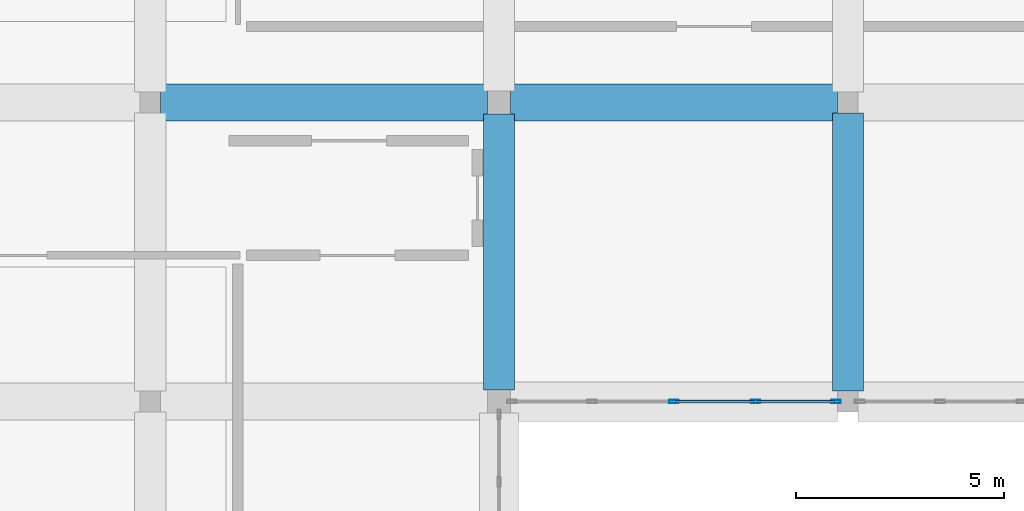
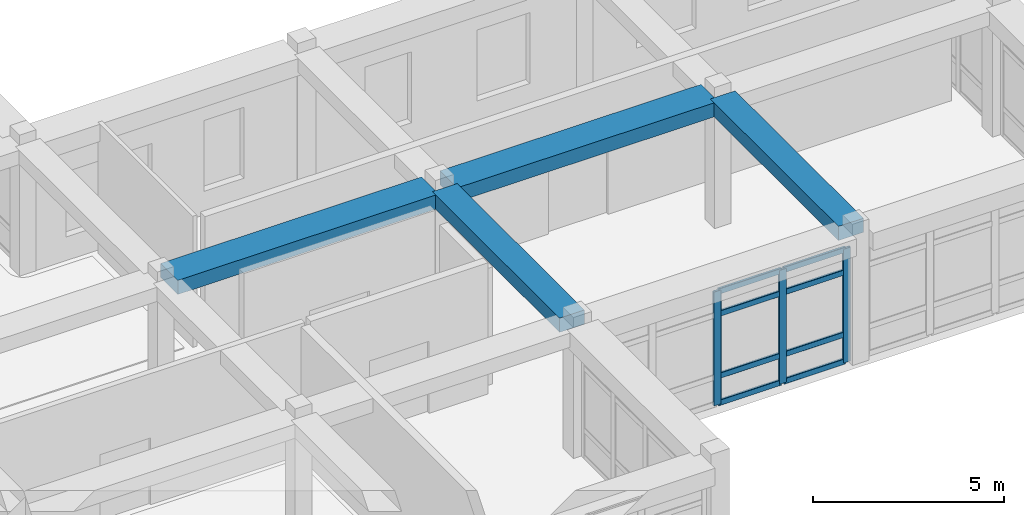
# One storey, part 56 of 121: 11 members, 4 beams, 1 element without a shape of its own.
"""IFC4 building model written with IfcOpenShell, lengths in metres."""

from ifc_helpers import new_model, si_unit, derived_unit, direction, frame, origin, origin_2d, place, context, subcontext, project, spatial, rectangle, hollow_rectangle, extrude, material, material_profile, profile_set, type_object, element, aggregate, save


model = new_model("IFC4")

# Units and contexts
model_context = context("Model", 3, precision=1e-05, world=origin(), true_north=direction((0.0, 1.0)))
body_context = subcontext(model_context, "Body", "Model", "MODEL_VIEW")
ifc_project = project(units=[si_unit("LENGTHUNIT", "METRE"), si_unit("AREAUNIT", "SQUARE_METRE"), si_unit("VOLUMEUNIT", "CUBIC_METRE"), si_unit("PLANEANGLEUNIT", "RADIAN"), si_unit("MASSUNIT", "GRAM", prefix="KILO"), derived_unit("THERMALTRANSMITTANCEUNIT", [(si_unit("POWERUNIT", "WATT"), 1), (si_unit("LENGTHUNIT", "METRE"), -2), (si_unit("THERMODYNAMICTEMPERATUREUNIT", "KELVIN"), -1)])], contexts=[model_context])

# Site, building, storey
site_placement = place(None, origin())
site = spatial("IfcSite", under=ifc_project, at=site_placement, CompositionType="ELEMENT")
building_placement = place(site_placement, origin())
building = spatial("IfcBuilding", under=site, at=building_placement, Name="Veybourne Emporium", CompositionType="ELEMENT")
storey_placement = place(building_placement, frame((0.0, 0.0, 5.39990234375)))
storey = spatial("IfcBuildingStorey", under=building, at=storey_placement, Name="L01", CompositionType="ELEMENT", Elevation=5.39990234375)

# Curtain wall, members
ifc_material_1 = material(Name="Patinated Architectural Bronze", Category="bronze")
curtain_wall_type = type_object("IfcCurtainWallType", Name="CWSystem_CWS-02", PredefinedType="NOTDEFINED", material=ifc_material_1)
curtain_wall_placement = place(storey_placement, origin())
curtain_wall = element("IfcCurtainWall", 1, at=curtain_wall_placement, inside=storey, type_object=curtain_wall_type, Name="L01 bronze glazed curtain wall CWS-02 (075)", PredefinedType="NOTDEFINED")
ifc_material_profile_1 = material_profile(ifc_material_1, hollow_rectangle(XDim=0.074951171875, YDim=0.22998046875, WallThickness=0.0048828125, InnerFilletRadius=0.007568359375, OuterFilletRadius=0.012451171875, at=origin_2d()), Name="CWM 75x230x5")
ifc_profile_set_1 = profile_set([ifc_material_profile_1], Name="Patinated Architectural Bronze")
member_type_1 = type_object("IfcMemberType", Name="CWMullion_CW-M2", PredefinedType="MULLION", material=ifc_profile_set_1)
member_1_placement = place(storey_placement, frame((159.3125, 7.199951171875, 0.0), z_axis=(0.0, 0.0, 1.0), x_axis=(0.0, -1.0, 0.0)))
member_1 = element("IfcMember", 2, at=member_1_placement, type_object=member_type_1, Name="CWS-02 mullion 1", PredefinedType="MULLION", context=body_context, shape_type="SweptSolid", body=[
    extrude(hollow_rectangle(XDim=0.074951171875, YDim=0.22998046875, WallThickness=0.0048828125, InnerFilletRadius=0.007568359375, OuterFilletRadius=0.012451171875, at=origin_2d()), origin(), (0.0, 0.0, 1.0), 3.630126953125),
])
member_2_placement = place(storey_placement, frame((157.38134765625, 7.199951171875, 0.0), z_axis=(0.0, 0.0, 1.0), x_axis=(0.0, -1.0, 0.0)))
member_2 = element("IfcMember", 3, at=member_2_placement, type_object=member_type_1, Name="CWS-02 mullion 2", PredefinedType="MULLION", context=body_context, shape_type="SweptSolid", body=[
    extrude(hollow_rectangle(XDim=0.074951171875, YDim=0.22998046875, WallThickness=0.0048828125, InnerFilletRadius=0.007568359375, OuterFilletRadius=0.012451171875, at=origin_2d()), origin(), (0.0, 0.0, 1.0), 3.630126953125),
])
member_3_placement = place(storey_placement, frame((155.41259765625, 7.199951171875, 0.0), z_axis=(0.0, 0.0, 1.0), x_axis=(0.0, -1.0, 0.0)))
member_3 = element("IfcMember", 4, at=member_3_placement, type_object=member_type_1, Name="CWS-02 mullion 3", PredefinedType="MULLION", context=body_context, shape_type="SweptSolid", body=[
    extrude(hollow_rectangle(XDim=0.074951171875, YDim=0.22998046875, WallThickness=0.0048828125, InnerFilletRadius=0.007568359375, OuterFilletRadius=0.012451171875, at=origin_2d()), origin(), (0.0, 0.0, 1.0), 3.630126953125),
])
ifc_material_profile_2 = material_profile(ifc_material_1, hollow_rectangle(XDim=0.074951171875, YDim=0.179931640625, WallThickness=0.0048828125, InnerFilletRadius=0.007568359375, OuterFilletRadius=0.012451171875, at=origin_2d()), Name="CWT 75x180x5")
ifc_profile_set_2 = profile_set([ifc_material_profile_2], Name="Patinated Architectural Bronze")
member_type_2 = type_object("IfcMemberType", Name="CWTransom_CW-T2", PredefinedType="NOTDEFINED", material=ifc_profile_set_2)
member_4_placement = place(storey_placement, frame((159.27490234375, 7.199951171875, 0.03759765625), z_axis=(-1.0, 0.0, 0.0), x_axis=(0.0, -1.0, 0.0)))
member_4 = element("IfcMember", 5, at=member_4_placement, type_object=member_type_2, Name="CWS-02 transom 1.1", ObjectType="TRANSOM", PredefinedType="USERDEFINED", context=body_context, shape_type="SweptSolid", body=[
    extrude(hollow_rectangle(XDim=0.074951171875, YDim=0.179931640625, WallThickness=0.0048828125, InnerFilletRadius=0.007568359375, OuterFilletRadius=0.012451171875, at=origin_2d()), origin(), (0.0, 0.0, 1.0), 1.856201171875),
])
member_5_placement = place(storey_placement, frame((159.27490234375, 7.199951171875, 0.900146484375), z_axis=(-1.0, 0.0, 0.0), x_axis=(0.0, -1.0, 0.0)))
member_5 = element("IfcMember", 6, at=member_5_placement, type_object=member_type_2, Name="CWS-02 transom 1.2", ObjectType="TRANSOM", PredefinedType="USERDEFINED", context=body_context, shape_type="SweptSolid", body=[
    extrude(hollow_rectangle(XDim=0.074951171875, YDim=0.179931640625, WallThickness=0.0048828125, InnerFilletRadius=0.007568359375, OuterFilletRadius=0.012451171875, at=origin_2d()), origin(), (0.0, 0.0, 1.0), 1.856201171875),
])
member_6_placement = place(storey_placement, frame((159.27490234375, 7.199951171875, 2.880126953125), z_axis=(-1.0, 0.0, 0.0), x_axis=(0.0, -1.0, 0.0)))
member_6 = element("IfcMember", 7, at=member_6_placement, type_object=member_type_2, Name="CWS-02 transom 1.3", ObjectType="TRANSOM", PredefinedType="USERDEFINED", context=body_context, shape_type="SweptSolid", body=[
    extrude(hollow_rectangle(XDim=0.074951171875, YDim=0.179931640625, WallThickness=0.0048828125, InnerFilletRadius=0.007568359375, OuterFilletRadius=0.012451171875, at=origin_2d()), origin(), (0.0, 0.0, 1.0), 1.856201171875),
])
member_7_placement = place(storey_placement, frame((159.27490234375, 7.199951171875, 3.592529296875), z_axis=(-1.0, 0.0, 0.0), x_axis=(0.0, -1.0, 0.0)))
member_7 = element("IfcMember", 8, at=member_7_placement, type_object=member_type_2, Name="CWS-02 transom 1.4", ObjectType="TRANSOM", PredefinedType="USERDEFINED", context=body_context, shape_type="SweptSolid", body=[
    extrude(hollow_rectangle(XDim=0.074951171875, YDim=0.179931640625, WallThickness=0.0048828125, InnerFilletRadius=0.007568359375, OuterFilletRadius=0.012451171875, at=origin_2d()), origin(), (0.0, 0.0, 1.0), 1.856201171875),
])
member_8_placement = place(storey_placement, frame((157.34375, 7.199951171875, 0.03759765625), z_axis=(-1.0, 0.0, 0.0), x_axis=(0.0, -1.0, 0.0)))
member_8 = element("IfcMember", 9, at=member_8_placement, type_object=member_type_2, Name="CWS-02 transom 2.1", ObjectType="TRANSOM", PredefinedType="USERDEFINED", context=body_context, shape_type="SweptSolid", body=[
    extrude(hollow_rectangle(XDim=0.074951171875, YDim=0.179931640625, WallThickness=0.0048828125, InnerFilletRadius=0.007568359375, OuterFilletRadius=0.012451171875, at=origin_2d()), origin(), (0.0, 0.0, 1.0), 1.893798828125),
])
member_9_placement = place(storey_placement, frame((157.34375, 7.199951171875, 0.900146484375), z_axis=(-1.0, 0.0, 0.0), x_axis=(0.0, -1.0, 0.0)))
member_9 = element("IfcMember", 10, at=member_9_placement, type_object=member_type_2, Name="CWS-02 transom 2.2", ObjectType="TRANSOM", PredefinedType="USERDEFINED", context=body_context, shape_type="SweptSolid", body=[
    extrude(hollow_rectangle(XDim=0.074951171875, YDim=0.179931640625, WallThickness=0.0048828125, InnerFilletRadius=0.007568359375, OuterFilletRadius=0.012451171875, at=origin_2d()), origin(), (0.0, 0.0, 1.0), 1.893798828125),
])
member_10_placement = place(storey_placement, frame((157.34375, 7.199951171875, 2.880126953125), z_axis=(-1.0, 0.0, 0.0), x_axis=(0.0, -1.0, 0.0)))
member_10 = element("IfcMember", 11, at=member_10_placement, type_object=member_type_2, Name="CWS-02 transom 2.3", ObjectType="TRANSOM", PredefinedType="USERDEFINED", context=body_context, shape_type="SweptSolid", body=[
    extrude(hollow_rectangle(XDim=0.074951171875, YDim=0.179931640625, WallThickness=0.0048828125, InnerFilletRadius=0.007568359375, OuterFilletRadius=0.012451171875, at=origin_2d()), origin(), (0.0, 0.0, 1.0), 1.893798828125),
])
member_11_placement = place(storey_placement, frame((157.34375, 7.199951171875, 3.592529296875), z_axis=(-1.0, 0.0, 0.0), x_axis=(0.0, -1.0, 0.0)))
member_11 = element("IfcMember", 12, at=member_11_placement, type_object=member_type_2, Name="CWS-02 transom 2.4", ObjectType="TRANSOM", PredefinedType="USERDEFINED", context=body_context, shape_type="SweptSolid", body=[
    extrude(hollow_rectangle(XDim=0.074951171875, YDim=0.179931640625, WallThickness=0.0048828125, InnerFilletRadius=0.007568359375, OuterFilletRadius=0.012451171875, at=origin_2d()), origin(), (0.0, 0.0, 1.0), 1.893798828125),
])
aggregate(curtain_wall, [member_1, member_2, member_3, member_4, member_5, member_6, member_7, member_8, member_9, member_10, member_11])

# Beams
ifc_material_2 = material(Name="Concrete C32/40", Category="concrete")
ifc_material_profile_3 = material_profile(ifc_material_2, rectangle(XDim=0.89990234375, YDim=0.449951171875, at=origin_2d()), Name="RC 900x450")
ifc_profile_set_3 = profile_set([ifc_material_profile_3], Name="Concrete C32/40")
beam_type_1 = type_object("IfcBeamType", Name="RCBeam_BB-03", PredefinedType="BEAM", material=ifc_profile_set_3)
for number, where, z_axis, x_axis, name in (
    (13, (143.050048828125, 14.39990234375, 3.955078125), (1.0, 0.0, 0.0), (0.0, 1.0, 0.0), "L01 X-grid beam BB-03 (17,2)"),
    (14, (151.47509765625, 14.39990234375, 3.955078125), (1.0, 0.0, 0.0), (0.0, 1.0, 0.0), "L01 X-grid beam BB-03 (18,2)"),
):
    element("IfcBeam", number, at=place(storey_placement, frame(where, z_axis=z_axis, x_axis=x_axis)), inside=storey, type_object=beam_type_1, Name=name, PredefinedType="BEAM", context=body_context, shape_type="SweptSolid", body=[
        extrude(rectangle(XDim=0.89990234375, YDim=0.449951171875, at=origin_2d()), origin(), (0.0, 0.0, 1.0), 7.875),
    ])
ifc_material_profile_4 = material_profile(ifc_material_2, rectangle(XDim=0.75, YDim=0.449951171875, at=origin_2d()), Name="RC 750x450")
ifc_profile_set_4 = profile_set([ifc_material_profile_4], Name="Concrete C32/40")
beam_type_2 = type_object("IfcBeamType", Name="RCBeam_BB-04", PredefinedType="BEAM", material=ifc_profile_set_4)
beam_1_placement = place(storey_placement, frame((151.199951171875, 7.47509765625, 3.955078125), z_axis=(0.0, 1.0, 0.0), x_axis=(-1.0, 0.0, 0.0)))
element("IfcBeam", 15, at=beam_1_placement, inside=storey, type_object=beam_type_2, Name="L01 Y-grid beam BB-04 (18,1)", PredefinedType="BEAM", context=body_context, shape_type="SweptSolid", body=[
    extrude(rectangle(XDim=0.75, YDim=0.449951171875, at=origin_2d()), origin(), (0.0, 0.0, 1.0), 6.64990234375),
])
beam_2_placement = place(storey_placement, frame((159.60009765625, 7.449951171875, 3.955078125), z_axis=(0.0, 1.0, 0.0), x_axis=(-1.0, 0.0, 0.0)))
element("IfcBeam", 16, at=beam_2_placement, inside=storey, type_object=beam_type_2, Name="L01 Y-grid beam BB-04 (19,1)", PredefinedType="BEAM", context=body_context, shape_type="SweptSolid", body=[
    extrude(rectangle(XDim=0.75, YDim=0.449951171875, at=origin_2d()), origin(), (0.0, 0.0, 1.0), 6.699951171875),
])

save(model, "model.ifc")
